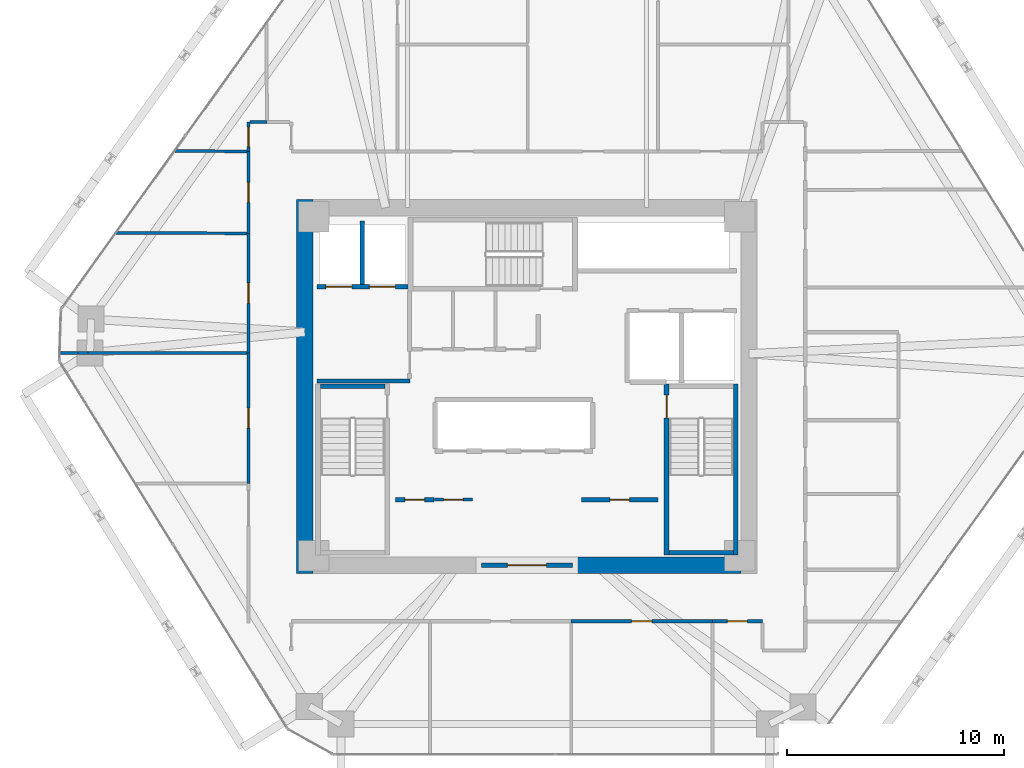
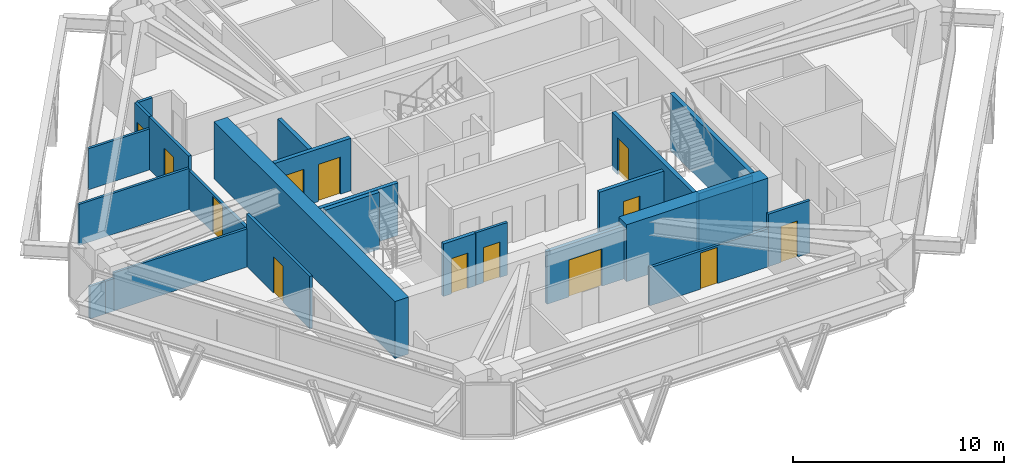
# One storey, part 10 of 14: 25 walls, 13 doors, 13 openings.
"""IFC4 building model written with IfcOpenShell, lengths in metres."""

from ifc_helpers import new_model, si_unit, direction, frame, frame_2d, origin, place, context, subcontext, project, spatial, rectangle, extrude, source, transform, mapped, material, layer, layer_set, type_object, type_shapes, element, fill, save


model = new_model("IFC4")

# Units and contexts
model_context = context("Model", 3, precision=1e-05, world=origin(), true_north=direction((0.0, 1.0)))
body_context = subcontext(model_context, "Body", "Model", "MODEL_VIEW")
ifc_project = project(units=[si_unit("LENGTHUNIT", "METRE"), si_unit("AREAUNIT", "SQUARE_METRE"), si_unit("VOLUMEUNIT", "CUBIC_METRE"), si_unit("PLANEANGLEUNIT", "RADIAN"), si_unit("MASSUNIT", "GRAM", prefix="KILO")], contexts=[model_context])

# Site, building, storey
site_placement = place(None, origin())
site = spatial("IfcSite", under=ifc_project, at=site_placement, CompositionType="ELEMENT")
building_placement = place(site_placement, origin())
building = spatial("IfcBuilding", under=site, at=building_placement, Name="Durnholm Broadcast Tower", CompositionType="ELEMENT")
storey_placement = place(building_placement, frame((0.0, 0.0, 120.60009765625)))
storey = spatial("IfcBuildingStorey", under=building, at=storey_placement, Name="L32", CompositionType="ELEMENT", Elevation=120.60009765625)

# Walls
ifc_material_1 = material(Name="Concrete C70/85", Category="concrete")
ifc_layer_1 = layer(ifc_material_1, 0.75)
ifc_layer_set_1 = layer_set([ifc_layer_1], Name="Concrete C70/85")
wall_type_1 = type_object("IfcWallType", Name="WALL-CW-750", PredefinedType="SHEAR", material=ifc_layer_set_1)
wall_1_placement = place(storey_placement, frame((-10.22509765625, -8.60009765625, 0.0), z_axis=(0.0, 0.0, 1.0), x_axis=(0.0, 1.0, 0.0)))
element("IfcWall", 1, at=wall_1_placement, inside=storey, type_object=wall_type_1, Name="L32 central core shear wall CW-WEST", PredefinedType="SHEAR", context=body_context, shape_type="SweptSolid", body=[
    extrude(rectangle(XDim=17.2001953125, YDim=0.75, at=frame_2d((8.60009765625, 0.0))), origin(), (0.0, 0.0, 1.0), 3.2998046875),
])
wall_2_placement = place(storey_placement, frame((2.10009765625, -8.22509765625, 0.0), z_axis=(0.0, 0.0, 1.0), x_axis=(1.0, 0.0, 0.0)))
element("IfcWall", 2, at=wall_2_placement, inside=storey, type_object=wall_type_1, Name="L32 central core shear wall CW-S2", PredefinedType="SHEAR", context=body_context, shape_type="SweptSolid", body=[
    extrude(rectangle(XDim=7.75, YDim=0.75, at=frame_2d((3.875, 0.0))), origin(), (0.0, 0.0, 1.0), 3.2998046875),
])

# Wall, opening, door
ifc_material_2 = material(Name="Fire-Rated Gypsum Shaftwall", Category="concrete")
ifc_layer_2 = layer(ifc_material_2, 0.199951171875)
ifc_layer_set_2 = layer_set([ifc_layer_2], Name="Fire-Rated Gypsum Shaftwall")
wall_type_2 = type_object("IfcWallType", Name="WALL-LOB-200", PredefinedType="SOLIDWALL", material=ifc_layer_set_2)
wall_3_placement = place(storey_placement, frame((-2.10009765625, -8.22509765625, 0.0), z_axis=(0.0, 0.0, 1.0), x_axis=(1.0, 0.0, 0.0)))
wall_3 = element("IfcWall", 3, at=wall_3_placement, inside=storey, type_object=wall_type_2, Name="L32 south core lobby fire screen", PredefinedType="SOLIDWALL", context=body_context, shape_type="SweptSolid", body=[
    extrude(rectangle(XDim=4.2001953125, YDim=0.199951171875, at=frame_2d((2.10009765625, 0.0))), origin(), (0.0, 0.0, 1.0), 3.044921875),
])
opening_1_placement = place(wall_3_placement, frame((1.199951171875, 0.0, 0.0)))
opening_1 = element("IfcOpeningElement", 4, at=opening_1_placement, cuts=wall_3, Name="Opening DP-60", PredefinedType="OPENING", context=body_context, shape_type="SweptSolid", body=[
    extrude(rectangle(XDim=1.800048828125, YDim=2.14990234375, at=frame_2d((0.89990234375, 1.074951171875))), frame((0.0, 0.10986328125, 0.0), z_axis=(0.0, -1.0, 0.0), x_axis=(1.0, 0.0, 0.0)), (0.0, 0.0, 1.0), 0.219970703125),
])
ifc_material_3 = material(Name="Fire-Rated Double Corridor Door", Category="steel")
ifc_layer_3 = layer(ifc_material_3, 0.050048828125)
ifc_layer_set_3 = layer_set([ifc_layer_3], Name="Fire-Rated Double Corridor Door")
door_type_1 = type_object("IfcDoorType", Name="DOOR-PAIR-FD60", OperationType="DOUBLE_DOOR_SINGLE_SWING", PredefinedType="DOOR", material=ifc_layer_set_3)
shared_shape_1 = source(origin(), body_context, "Body", "SweptSolid", [
    extrude(rectangle(XDim=1.800048828125, YDim=2.14990234375, at=frame_2d((0.89990234375, 1.074951171875))), frame((0.0, 0.02490234375, 0.0), z_axis=(0.0, -1.0, 0.0), x_axis=(1.0, 0.0, 0.0)), (0.0, 0.0, 1.0), 0.050048828125),
])
type_shapes(door_type_1, [shared_shape_1])
door_1_placement = place(opening_1_placement, origin())
door_1 = element("IfcDoor", 5, at=door_1_placement, inside=storey, type_object=door_type_1, Name="L32 south core lobby double fire door", OperationType="DOUBLE_DOOR_SINGLE_SWING", OverallHeight=2.14990234375, OverallWidth=1.800048828125, PredefinedType="DOOR", context=body_context, shape_type="MappedRepresentation", body=[
    mapped(shared_shape_1, transform((0.0, 0.0, 0.0), x_axis=(1.0, 0.0, 0.0), y_axis=(0.0, 1.0, 0.0), z_axis=(0.0, 0.0, 1.0), scale=1.0)),
])
fill(opening_1, door_1)

# Wall
wall_4_placement = place(storey_placement, frame((-9.64990234375, 0.25, 0.0), z_axis=(0.0, 0.0, 1.0), x_axis=(1.0, 0.0, 0.0)))
element("IfcWall", 6, at=wall_4_placement, inside=storey, type_object=wall_type_2, Name="L32 Fire Service Access Elevator lobby south wall", PredefinedType="SOLIDWALL", context=body_context, shape_type="SweptSolid", body=[
    extrude(rectangle(XDim=4.27001953125, YDim=0.199951171875, at=frame_2d((2.135009765625, 0.0))), origin(), (0.0, 0.0, 1.0), 3.044921875),
])

# Wall, opening, door
wall_5_placement = place(storey_placement, frame((-6.0400390625, -5.2099609375, 0.0), z_axis=(0.0, 0.0, 1.0), x_axis=(1.0, 0.0, 0.0)))
wall_5 = element("IfcWall", 7, at=wall_5_placement, inside=storey, type_object=wall_type_2, Name="L32 Media Fiber Patch Room corridor partition", PredefinedType="SOLIDWALL", context=body_context, shape_type="SweptSolid", body=[
    extrude(rectangle(XDim=1.760009765625, YDim=0.199951171875, at=frame_2d((0.8798828125, 0.0))), origin(), (0.0, 0.0, 1.0), 3.044921875),
])
opening_2_placement = place(wall_5_placement, frame((0.429931640625, 0.0, 0.0)))
opening_2 = element("IfcOpeningElement", 8, at=opening_2_placement, cuts=wall_5, Name="Opening DC-60R", PredefinedType="OPENING", context=body_context, shape_type="SweptSolid", body=[
    extrude(rectangle(XDim=0.89990234375, YDim=2.050048828125, at=frame_2d((0.449951171875, 1.02490234375))), frame((0.0, 0.10986328125, 0.0), z_axis=(0.0, -1.0, 0.0), x_axis=(1.0, 0.0, 0.0)), (0.0, 0.0, 1.0), 0.219970703125),
])
ifc_material_4 = material(Name="Fire-Rated Core Service Door", Category="steel")
ifc_layer_4 = layer(ifc_material_4, 0.050048828125)
ifc_layer_set_4 = layer_set([ifc_layer_4], Name="Fire-Rated Core Service Door")
door_type_2 = type_object("IfcDoorType", Name="DOOR-CORE-FD60-R", OperationType="NOTDEFINED", PredefinedType="DOOR", material=ifc_layer_set_4)
shared_shape_2 = source(origin(), body_context, "Body", "SweptSolid", [
    extrude(rectangle(XDim=0.89990234375, YDim=2.050048828125, at=frame_2d((0.449951171875, 1.02490234375))), frame((0.0, 0.02490234375, 0.0), z_axis=(0.0, -1.0, 0.0), x_axis=(1.0, 0.0, 0.0)), (0.0, 0.0, 1.0), 0.050048828125),
])
type_shapes(door_type_2, [shared_shape_2])
door_2_placement = place(opening_2_placement, origin())
door_2 = element("IfcDoor", 9, at=door_2_placement, inside=storey, type_object=door_type_2, Name="L32 Media Fiber Patch Room entrance door", OperationType="SINGLE_SWING_RIGHT", OverallHeight=2.050048828125, OverallWidth=0.89990234375, PredefinedType="DOOR", context=body_context, shape_type="MappedRepresentation", body=[
    mapped(shared_shape_2, transform((0.0, 0.0, 0.0), x_axis=(1.0, 0.0, 0.0), y_axis=(0.0, 1.0, 0.0), z_axis=(0.0, 0.0, 1.0), scale=1.0)),
])
fill(opening_2, door_2)

wall_6_placement = place(storey_placement, frame((2.510009765625, -5.2099609375, 0.0), z_axis=(0.0, 0.0, 1.0), x_axis=(1.0, 0.0, 0.0)))
wall_6 = element("IfcWall", 10, at=wall_6_placement, inside=storey, type_object=wall_type_2, Name="L32 Telemetry Control Closet corridor partition", PredefinedType="SOLIDWALL", context=body_context, shape_type="SweptSolid", body=[
    extrude(rectangle(XDim=3.530029296875, YDim=0.199951171875, at=frame_2d((1.76513671875, 0.0))), origin(), (0.0, 0.0, 1.0), 3.044921875),
])
opening_3_placement = place(wall_6_placement, frame((1.31494140625, 0.0, 0.0)))
opening_3 = element("IfcOpeningElement", 11, at=opening_3_placement, cuts=wall_6, Name="Opening DC-60R", PredefinedType="OPENING", context=body_context, shape_type="SweptSolid", body=[
    extrude(rectangle(XDim=0.89990234375, YDim=2.050048828125, at=frame_2d((0.449951171875, 1.02490234375))), frame((0.0, 0.10986328125, 0.0), z_axis=(0.0, -1.0, 0.0), x_axis=(1.0, 0.0, 0.0)), (0.0, 0.0, 1.0), 0.219970703125),
])
door_3_placement = place(opening_3_placement, origin())
door_3 = element("IfcDoor", 12, at=door_3_placement, inside=storey, type_object=door_type_2, Name="L32 Telemetry Control Closet entrance door", OperationType="SINGLE_SWING_RIGHT", OverallHeight=2.050048828125, OverallWidth=0.89990234375, PredefinedType="DOOR", context=body_context, shape_type="MappedRepresentation", body=[
    mapped(shared_shape_2, transform((0.0, 0.0, 0.0), x_axis=(1.0, 0.0, 0.0), y_axis=(0.0, 1.0, 0.0), z_axis=(0.0, 0.0, 1.0), scale=1.0)),
])
fill(opening_3, door_3)

# Walls
ifc_material_5 = material(Name="Gypsum Metal Stud Partition", Category="concrete")
ifc_layer_5 = layer(ifc_material_5, 0.135009765625)
ifc_layer_set_5 = layer_set([ifc_layer_5], Name="Gypsum Metal Stud Partition")
wall_type_3 = type_object("IfcWallType", Name="WALL-PART-135", PredefinedType="PARTITIONING", material=ifc_layer_set_5)
wall_7_placement = place(storey_placement, frame((-12.888916015625, 10.810546875, 0.0), z_axis=(0.0, 0.0, 1.0), x_axis=(-0.999976657862, 0.006832549348, 0.0)))
element("IfcWall", 13, at=wall_7_placement, inside=storey, type_object=wall_type_3, Name="L32 room dividing partition 10.25", PredefinedType="PARTITIONING", context=body_context, shape_type="SweptSolid", body=[
    extrude(rectangle(XDim=3.322998046875, YDim=0.135009765625, at=frame_2d((1.66162109375, 0.0))), origin(), (0.0, 0.0, 1.0), 2.3798828125),
])
wall_8_placement = place(storey_placement, frame((-21.50341796875, 1.54150390625, 0.0), z_axis=(0.0, 0.0, 1.0), x_axis=(0.999999958331, -0.000288683591, 0.0)))
element("IfcWall", 14, at=wall_8_placement, inside=storey, type_object=wall_type_3, Name="L32 room dividing partition 23.24", PredefinedType="PARTITIONING", context=body_context, shape_type="SweptSolid", body=[
    extrude(rectangle(XDim=0.845703125, YDim=0.135009765625, at=frame_2d((0.4228515625, 0.0))), origin(), (0.0, 0.0, 1.0), 1.877197265625),
])
wall_9_placement = place(storey_placement, frame((-20.201416015625, 1.541259765625, 0.0), z_axis=(0.0, 0.0, 1.0), x_axis=(0.999999986067, -0.000166933758, 0.0)))
element("IfcWall", 15, at=wall_9_placement, inside=storey, type_object=wall_type_3, Name="L32 room dividing partition 23.24", PredefinedType="PARTITIONING", context=body_context, shape_type="SweptSolid", body=[
    extrude(rectangle(XDim=7.3125, YDim=0.135009765625, at=frame_2d((3.65625, 0.0))), origin(), (0.0, 0.0, 1.0), 2.2119140625),
])
wall_10_placement = place(storey_placement, frame((-20.65771484375, 1.541259765625, 0.0), z_axis=(0.0, 0.0, 1.0), x_axis=(1.0, 0.0, 0.0)))
element("IfcWall", 16, at=wall_10_placement, inside=storey, type_object=wall_type_3, Name="L32 room dividing partition 23.24", PredefinedType="PARTITIONING", context=body_context, shape_type="SweptSolid", body=[
    extrude(rectangle(XDim=0.456298828125, YDim=0.135009765625, at=frame_2d((0.22802734375, 0.0))), origin(), (0.0, 0.0, 1.0), 1.877197265625),
])
wall_11_placement = place(storey_placement, frame((-18.92041015625, 7.063232421875, 0.0), z_axis=(0.0, 0.0, 1.0), x_axis=(0.999992761455, -0.003804870252, 0.0)))
element("IfcWall", 17, at=wall_11_placement, inside=storey, type_object=wall_type_3, Name="L32 room dividing partition 24.25", PredefinedType="PARTITIONING", context=body_context, shape_type="SweptSolid", body=[
    extrude(rectangle(XDim=6.031494140625, YDim=0.135009765625, at=frame_2d((3.015625, 0.0))), origin(), (0.0, 0.0, 1.0), 2.3798828125),
])

# Wall, opening, door
ifc_material_6 = material(Name="Acoustic Gypsum Stud Partition", Category="concrete")
ifc_layer_6 = layer(ifc_material_6, 0.14990234375)
ifc_layer_set_6 = layer_set([ifc_layer_6], Name="Acoustic Gypsum Stud Partition")
wall_type_4 = type_object("IfcWallType", Name="WALL-PART-150", PredefinedType="PARTITIONING", material=ifc_layer_set_6)
wall_12_placement = place(storey_placement, frame((-4.260009765625, -5.2099609375, 0.0), z_axis=(0.0, 0.0, 1.0), x_axis=(1.0, 0.0, 0.0)))
wall_12 = element("IfcWall", 18, at=wall_12_placement, inside=storey, type_object=wall_type_4, Name="L32 Copy and Print Room corridor partition", PredefinedType="PARTITIONING", context=body_context, shape_type="SweptSolid", body=[
    extrude(rectangle(XDim=1.75, YDim=0.14990234375, at=frame_2d((0.875, 0.0))), origin(), (0.0, 0.0, 1.0), 3.044921875),
])
opening_4_placement = place(wall_12_placement, frame((0.425048828125, 0.0, 0.0)))
opening_4 = element("IfcOpeningElement", 19, at=opening_4_placement, cuts=wall_12, Name="Opening DC-60L", PredefinedType="OPENING", context=body_context, shape_type="SweptSolid", body=[
    extrude(rectangle(XDim=0.89990234375, YDim=2.050048828125, at=frame_2d((0.449951171875, 1.02490234375))), frame((0.0, 0.0849609375, 0.0), z_axis=(0.0, -1.0, 0.0), x_axis=(1.0, 0.0, 0.0)), (0.0, 0.0, 1.0), 0.169921875),
])
ifc_layer_7 = layer(ifc_material_4, 0.050048828125)
ifc_layer_set_7 = layer_set([ifc_layer_7], Name="Fire-Rated Core Service Door")
door_type_3 = type_object("IfcDoorType", Name="DOOR-CORE-FD60-L", OperationType="NOTDEFINED", PredefinedType="DOOR", material=ifc_layer_set_7)
shared_shape_3 = source(origin(), body_context, "Body", "SweptSolid", [
    extrude(rectangle(XDim=0.89990234375, YDim=2.050048828125, at=frame_2d((0.449951171875, 1.02490234375))), frame((0.0, 0.02490234375, 0.0), z_axis=(0.0, -1.0, 0.0), x_axis=(1.0, 0.0, 0.0)), (0.0, 0.0, 1.0), 0.050048828125),
])
type_shapes(door_type_3, [shared_shape_3])
door_4_placement = place(opening_4_placement, origin())
door_4 = element("IfcDoor", 20, at=door_4_placement, inside=storey, type_object=door_type_3, Name="L32 Copy and Print Room entrance door", OperationType="SINGLE_SWING_LEFT", OverallHeight=2.050048828125, OverallWidth=0.89990234375, PredefinedType="DOOR", context=body_context, shape_type="MappedRepresentation", body=[
    mapped(shared_shape_3, transform((0.0, 0.0, 0.0), x_axis=(1.0, 0.0, 0.0), y_axis=(0.0, 1.0, 0.0), z_axis=(0.0, 0.0, 1.0), scale=1.0)),
])
fill(opening_4, door_4)

wall_13_placement = place(storey_placement, frame((-12.81005859375, 12.159912109375, 0.0), z_axis=(0.0, 0.0, 1.0), x_axis=(0.0, -1.0, 0.0)))
wall_13 = element("IfcWall", 21, at=wall_13_placement, inside=storey, type_object=wall_type_4, Name="L32 Syndication Meeting Room 1 corridor partition", PredefinedType="PARTITIONING", context=body_context, shape_type="SweptSolid", body=[
    extrude(rectangle(XDim=1.349853515625, YDim=0.14990234375, at=frame_2d((0.6748046875, 0.0))), origin(), (0.0, 0.0, 1.0), 3.044921875),
])
opening_5_placement = place(wall_13_placement, frame((0.22509765625, 0.0, 0.0)))
opening_5 = element("IfcOpeningElement", 22, at=opening_5_placement, cuts=wall_13, Name="Opening DW-90L", PredefinedType="OPENING", context=body_context, shape_type="SweptSolid", body=[
    extrude(rectangle(XDim=0.89990234375, YDim=2.050048828125, at=frame_2d((0.449951171875, 1.02490234375))), frame((0.0, 0.0849609375, 0.0), z_axis=(0.0, -1.0, 0.0), x_axis=(1.0, 0.0, 0.0)), (0.0, 0.0, 1.0), 0.169921875),
])
ifc_material_7 = material(Name="Laminate Restroom Door", Category="steel")
ifc_layer_8 = layer(ifc_material_7, 0.050048828125)
ifc_layer_set_8 = layer_set([ifc_layer_8], Name="Laminate Restroom Door")
door_type_4 = type_object("IfcDoorType", Name="DOOR-WC-900L", OperationType="NOTDEFINED", PredefinedType="DOOR", material=ifc_layer_set_8)
shared_shape_4 = source(origin(), body_context, "Body", "SweptSolid", [
    extrude(rectangle(XDim=0.89990234375, YDim=2.050048828125, at=frame_2d((0.449951171875, 1.02490234375))), frame((0.0, 0.02490234375, 0.0), z_axis=(0.0, -1.0, 0.0), x_axis=(1.0, 0.0, 0.0)), (0.0, 0.0, 1.0), 0.050048828125),
])
type_shapes(door_type_4, [shared_shape_4])
door_5_placement = place(opening_5_placement, origin())
door_5 = element("IfcDoor", 23, at=door_5_placement, inside=storey, type_object=door_type_4, Name="L32 Syndication Meeting Room 1 entrance door", OperationType="SINGLE_SWING_LEFT", OverallHeight=2.050048828125, OverallWidth=0.89990234375, PredefinedType="DOOR", context=body_context, shape_type="MappedRepresentation", body=[
    mapped(shared_shape_4, transform((0.0, 0.0, 0.0), x_axis=(1.0, 0.0, 0.0), y_axis=(0.0, 1.0, 0.0), z_axis=(0.0, 0.0, 1.0), scale=1.0)),
])
fill(opening_5, door_5)

# Wall
wall_14_placement = place(storey_placement, frame((-11.9599609375, 12.159912109375, 0.0), z_axis=(0.0, 0.0, 1.0), x_axis=(-1.0, 0.0, 0.0)))
element("IfcWall", 24, at=wall_14_placement, inside=storey, type_object=wall_type_4, Name="L32 Syndication Meeting Room 1 corridor partition", PredefinedType="PARTITIONING", context=body_context, shape_type="SweptSolid", body=[
    extrude(rectangle(XDim=0.77099609375, YDim=0.14990234375, at=frame_2d((0.385498046875, 0.0))), origin(), (0.0, 0.0, 1.0), 3.044921875),
])

# Wall, opening, door
wall_15_placement = place(storey_placement, frame((2.0400390625, -10.81005859375, 0.0), z_axis=(0.0, 0.0, 1.0), x_axis=(1.0, 0.0, 0.0)))
wall_15 = element("IfcWall", 25, at=wall_15_placement, inside=storey, type_object=wall_type_4, Name="L32 Syndication Meeting Room 2 corridor partition", PredefinedType="PARTITIONING", context=body_context, shape_type="SweptSolid", body=[
    extrude(rectangle(XDim=6.5, YDim=0.14990234375, at=frame_2d((3.25, 0.0))), origin(), (0.0, 0.0, 1.0), 2.2119140625),
])
opening_6_placement = place(wall_15_placement, frame((2.77490234375, 0.0, 0.0)))
opening_6 = element("IfcOpeningElement", 26, at=opening_6_placement, cuts=wall_15, Name="Opening DR-95L", PredefinedType="OPENING", context=body_context, shape_type="SweptSolid", body=[
    extrude(rectangle(XDim=0.949951171875, YDim=2.10009765625, at=frame_2d((0.47509765625, 1.050048828125))), frame((0.0, 0.0849609375, 0.0), z_axis=(0.0, -1.0, 0.0), x_axis=(1.0, 0.0, 0.0)), (0.0, 0.0, 1.0), 0.169921875),
])
ifc_material_8 = material(Name="Acoustic Oak Veneer Timber Door", Category="wood")
ifc_layer_9 = layer(ifc_material_8, 0.050048828125)
ifc_layer_set_9 = layer_set([ifc_layer_9], Name="Acoustic Oak Veneer Timber Door")
door_type_5 = type_object("IfcDoorType", Name="DOOR-RM-950L", OperationType="NOTDEFINED", PredefinedType="DOOR", material=ifc_layer_set_9)
shared_shape_5 = source(origin(), body_context, "Body", "SweptSolid", [
    extrude(rectangle(XDim=0.949951171875, YDim=2.10009765625, at=frame_2d((0.47509765625, 1.050048828125))), frame((0.0, 0.02490234375, 0.0), z_axis=(0.0, -1.0, 0.0), x_axis=(1.0, 0.0, 0.0)), (0.0, 0.0, 1.0), 0.050048828125),
])
type_shapes(door_type_5, [shared_shape_5])
door_6_placement = place(opening_6_placement, origin())
door_6 = element("IfcDoor", 27, at=door_6_placement, inside=storey, type_object=door_type_5, Name="L32 Syndication Meeting Room 2 entrance door", OperationType="SINGLE_SWING_LEFT", OverallHeight=2.10009765625, OverallWidth=0.949951171875, PredefinedType="DOOR", context=body_context, shape_type="MappedRepresentation", body=[
    mapped(shared_shape_5, transform((0.0, 0.0, 0.0), x_axis=(1.0, 0.0, 0.0), y_axis=(0.0, 1.0, 0.0), z_axis=(0.0, 0.0, 1.0), scale=1.0)),
])
fill(opening_6, door_6)

wall_16_placement = place(storey_placement, frame((8.5400390625, -10.81005859375, 0.0), z_axis=(0.0, 0.0, 1.0), x_axis=(1.0, 0.0, 0.0)))
wall_16 = element("IfcWall", 28, at=wall_16_placement, inside=storey, type_object=wall_type_4, Name="L32 Open Plan Broadcast Workspace 1 corridor partition", PredefinedType="PARTITIONING", context=body_context, shape_type="SweptSolid", body=[
    extrude(rectangle(XDim=2.300048828125, YDim=0.14990234375, at=frame_2d((1.14990234375, 0.0))), origin(), (0.0, 0.0, 1.0), 3.044921875),
])
opening_7_placement = place(wall_16_placement, frame((0.68994140625, 0.0, 0.0)))
opening_7 = element("IfcOpeningElement", 29, at=opening_7_placement, cuts=wall_16, Name="Opening DR-92R", PredefinedType="OPENING", context=body_context, shape_type="SweptSolid", body=[
    extrude(rectangle(XDim=0.919921875, YDim=2.10009765625, at=frame_2d((0.4599609375, 1.050048828125))), frame((0.0, 0.0849609375, 0.0), z_axis=(0.0, -1.0, 0.0), x_axis=(1.0, 0.0, 0.0)), (0.0, 0.0, 1.0), 0.169921875),
])
ifc_material_9 = material(Name="Oak Veneer Office Door", Category="wood")
ifc_layer_10 = layer(ifc_material_9, 0.050048828125)
ifc_layer_set_10 = layer_set([ifc_layer_10], Name="Oak Veneer Office Door")
door_type_6 = type_object("IfcDoorType", Name="DOOR-RM-920R", OperationType="NOTDEFINED", PredefinedType="DOOR", material=ifc_layer_set_10)
shared_shape_6 = source(origin(), body_context, "Body", "SweptSolid", [
    extrude(rectangle(XDim=0.919921875, YDim=2.10009765625, at=frame_2d((0.4599609375, 1.050048828125))), frame((0.0, 0.02490234375, 0.0), z_axis=(0.0, -1.0, 0.0), x_axis=(1.0, 0.0, 0.0)), (0.0, 0.0, 1.0), 0.050048828125),
])
type_shapes(door_type_6, [shared_shape_6])
door_7_placement = place(opening_7_placement, origin())
door_7 = element("IfcDoor", 30, at=door_7_placement, inside=storey, type_object=door_type_6, Name="L32 Open Plan Broadcast Workspace 1 entrance door", OperationType="SINGLE_SWING_RIGHT", OverallHeight=2.10009765625, OverallWidth=0.919921875, PredefinedType="DOOR", context=body_context, shape_type="MappedRepresentation", body=[
    mapped(shared_shape_6, transform((0.0, 0.0, 0.0), x_axis=(1.0, 0.0, 0.0), y_axis=(0.0, 1.0, 0.0), z_axis=(0.0, 0.0, 1.0), scale=1.0)),
])
fill(opening_7, door_7)

wall_17_placement = place(storey_placement, frame((-12.81005859375, 1.5400390625, 0.0), z_axis=(0.0, 0.0, 1.0), x_axis=(0.0, -1.0, 0.0)))
wall_17 = element("IfcWall", 31, at=wall_17_placement, inside=storey, type_object=wall_type_4, Name="L32 Research Meeting Room corridor partition", PredefinedType="PARTITIONING", context=body_context, shape_type="SweptSolid", body=[
    extrude(rectangle(XDim=6.0, YDim=0.14990234375, at=frame_2d((3.0, 0.0))), origin(), (0.0, 0.0, 1.0), 3.044921875),
])
opening_8_placement = place(wall_17_placement, frame((2.5400390625, 0.0, 0.0)))
opening_8 = element("IfcOpeningElement", 32, at=opening_8_placement, cuts=wall_17, Name="Opening DR-92R", PredefinedType="OPENING", context=body_context, shape_type="SweptSolid", body=[
    extrude(rectangle(XDim=0.919921875, YDim=2.10009765625, at=frame_2d((0.4599609375, 1.050048828125))), frame((0.0, 0.0849609375, 0.0), z_axis=(0.0, -1.0, 0.0), x_axis=(1.0, 0.0, 0.0)), (0.0, 0.0, 1.0), 0.169921875),
])
door_8_placement = place(opening_8_placement, origin())
door_8 = element("IfcDoor", 33, at=door_8_placement, inside=storey, type_object=door_type_6, Name="L32 Research Meeting Room entrance door", OperationType="SINGLE_SWING_RIGHT", OverallHeight=2.10009765625, OverallWidth=0.919921875, PredefinedType="DOOR", context=body_context, shape_type="MappedRepresentation", body=[
    mapped(shared_shape_6, transform((0.0, 0.0, 0.0), x_axis=(1.0, 0.0, 0.0), y_axis=(0.0, 1.0, 0.0), z_axis=(0.0, 0.0, 1.0), scale=1.0)),
])
fill(opening_8, door_8)

wall_18_placement = place(storey_placement, frame((-12.81005859375, 7.0400390625, 0.0), z_axis=(0.0, 0.0, 1.0), x_axis=(0.0, -1.0, 0.0)))
wall_18 = element("IfcWall", 34, at=wall_18_placement, inside=storey, type_object=wall_type_4, Name="L32 Hospitality Kitchen corridor partition", PredefinedType="PARTITIONING", context=body_context, shape_type="SweptSolid", body=[
    extrude(rectangle(XDim=5.5, YDim=0.14990234375, at=frame_2d((2.75, 0.0))), origin(), (0.0, 0.0, 1.0), 2.2119140625),
])
opening_9_placement = place(wall_18_placement, frame((2.27490234375, 0.0, 0.0)))
opening_9 = element("IfcOpeningElement", 35, at=opening_9_placement, cuts=wall_18, Name="Opening DR-95L", PredefinedType="OPENING", context=body_context, shape_type="SweptSolid", body=[
    extrude(rectangle(XDim=0.949951171875, YDim=2.10009765625, at=frame_2d((0.47509765625, 1.050048828125))), frame((0.0, 0.0849609375, 0.0), z_axis=(0.0, -1.0, 0.0), x_axis=(1.0, 0.0, 0.0)), (0.0, 0.0, 1.0), 0.169921875),
])
door_9_placement = place(opening_9_placement, origin())
door_9 = element("IfcDoor", 36, at=door_9_placement, inside=storey, type_object=door_type_5, Name="L32 Hospitality Kitchen entrance door", OperationType="SINGLE_SWING_LEFT", OverallHeight=2.10009765625, OverallWidth=0.949951171875, PredefinedType="DOOR", context=body_context, shape_type="MappedRepresentation", body=[
    mapped(shared_shape_5, transform((0.0, 0.0, 0.0), x_axis=(1.0, 0.0, 0.0), y_axis=(0.0, 1.0, 0.0), z_axis=(0.0, 0.0, 1.0), scale=1.0)),
])
fill(opening_9, door_9)

wall_19_placement = place(storey_placement, frame((-12.81005859375, 10.81005859375, 0.0), z_axis=(0.0, 0.0, 1.0), x_axis=(0.0, -1.0, 0.0)))
wall_19 = element("IfcWall", 37, at=wall_19_placement, inside=storey, type_object=wall_type_4, Name="L32 Account Lounge corridor partition", PredefinedType="PARTITIONING", context=body_context, shape_type="SweptSolid", body=[
    extrude(rectangle(XDim=3.77001953125, YDim=0.14990234375, at=frame_2d((1.885009765625, 0.0))), origin(), (0.0, 0.0, 1.0), 3.044921875),
])
opening_10_placement = place(wall_19_placement, frame((1.425048828125, 0.0, 0.0)))
opening_10 = element("IfcOpeningElement", 38, at=opening_10_placement, cuts=wall_19, Name="Opening DR-92R", PredefinedType="OPENING", context=body_context, shape_type="SweptSolid", body=[
    extrude(rectangle(XDim=0.919921875, YDim=2.10009765625, at=frame_2d((0.4599609375, 1.050048828125))), frame((0.0, 0.0849609375, 0.0), z_axis=(0.0, -1.0, 0.0), x_axis=(1.0, 0.0, 0.0)), (0.0, 0.0, 1.0), 0.169921875),
])
door_10_placement = place(opening_10_placement, origin())
door_10 = element("IfcDoor", 39, at=door_10_placement, inside=storey, type_object=door_type_6, Name="L32 Account Lounge entrance door", OperationType="SINGLE_SWING_RIGHT", OverallHeight=2.10009765625, OverallWidth=0.919921875, PredefinedType="DOOR", context=body_context, shape_type="MappedRepresentation", body=[
    mapped(shared_shape_6, transform((0.0, 0.0, 0.0), x_axis=(1.0, 0.0, 0.0), y_axis=(0.0, 1.0, 0.0), z_axis=(0.0, 0.0, 1.0), scale=1.0)),
])
fill(opening_10, door_10)

# Wall, openings, doors
ifc_material_10 = material(Name="Concrete Blockwork C30/37", Category="masonry")
ifc_layer_11 = layer(ifc_material_10, 0.219970703125)
ifc_layer_set_11 = layer_set([ifc_layer_11], Name="Concrete Blockwork C30/37")
wall_type_5 = type_object("IfcWallType", Name="WALL-SHAFT-220", PredefinedType="SOLIDWALL", material=ifc_layer_set_11)
wall_20_placement = place(storey_placement, frame((-9.64990234375, 4.580078125, 0.0), z_axis=(0.0, 0.0, 1.0), x_axis=(1.0, 0.0, 0.0)))
wall_20 = element("IfcWall", 40, at=wall_20_placement, inside=storey, type_object=wall_type_5, Name="L32 FSAE hoistway front fire wall", PredefinedType="SOLIDWALL", context=body_context, shape_type="SweptSolid", body=[
    extrude(rectangle(XDim=4.1748046875, YDim=0.219970703125, at=frame_2d((2.08740234375, 0.0))), origin(), (0.0, 0.0, 1.0), 3.044921875),
])
opening_11_placement = place(wall_20_placement, frame((0.39990234375, 0.0, 0.0)))
opening_11 = element("IfcOpeningElement", 41, at=opening_11_placement, cuts=wall_20, Name="Opening LD-FSAE-2", PredefinedType="OPENING", context=body_context, shape_type="SweptSolid", body=[
    extrude(rectangle(XDim=1.199951171875, YDim=2.14990234375, at=frame_2d((0.60009765625, 1.074951171875))), frame((0.0, 0.1201171875, 0.0), z_axis=(0.0, -1.0, 0.0), x_axis=(1.0, 0.0, 0.0)), (0.0, 0.0, 1.0), 0.239990234375),
])
opening_12_placement = place(wall_20_placement, frame((2.39990234375, 0.0, 0.0)))
opening_12 = element("IfcOpeningElement", 42, at=opening_12_placement, cuts=wall_20, Name="Opening LD-FSAE-1", PredefinedType="OPENING", context=body_context, shape_type="SweptSolid", body=[
    extrude(rectangle(XDim=1.199951171875, YDim=2.14990234375, at=frame_2d((0.60009765625, 1.074951171875))), frame((0.0, 0.1201171875, 0.0), z_axis=(0.0, -1.0, 0.0), x_axis=(1.0, 0.0, 0.0)), (0.0, 0.0, 1.0), 0.239990234375),
])
ifc_material_11 = material(Name="Fire Service Access Sliding Landing Door", Category="steel")
ifc_layer_12 = layer(ifc_material_11, 0.050048828125)
ifc_layer_set_12 = layer_set([ifc_layer_12], Name="Fire Service Access Sliding Landing Door")
door_type_7 = type_object("IfcDoorType", Name="DOOR-LIFT-FSAE", OperationType="DOUBLE_DOOR_SLIDING", PredefinedType="DOOR", material=ifc_layer_set_12)
shared_shape_7 = source(origin(), body_context, "Body", "SweptSolid", [
    extrude(rectangle(XDim=1.199951171875, YDim=2.14990234375, at=frame_2d((0.60009765625, 1.074951171875))), frame((0.0, 0.02490234375, 0.0), z_axis=(0.0, -1.0, 0.0), x_axis=(1.0, 0.0, 0.0)), (0.0, 0.0, 1.0), 0.050048828125),
])
type_shapes(door_type_7, [shared_shape_7])
door_11_placement = place(opening_11_placement, origin())
door_11 = element("IfcDoor", 43, at=door_11_placement, inside=storey, type_object=door_type_7, Name="L32 Fire Service Access Elevator FSAE-2 sliding landing door", OperationType="DOUBLE_DOOR_SLIDING", OverallHeight=2.14990234375, OverallWidth=1.199951171875, PredefinedType="DOOR", context=body_context, shape_type="MappedRepresentation", body=[
    mapped(shared_shape_7, transform((0.0, 0.0, 0.0), x_axis=(1.0, 0.0, 0.0), y_axis=(0.0, 1.0, 0.0), z_axis=(0.0, 0.0, 1.0), scale=1.0)),
])
fill(opening_11, door_11)
door_12_placement = place(opening_12_placement, origin())
door_12 = element("IfcDoor", 44, at=door_12_placement, inside=storey, type_object=door_type_7, Name="L32 Fire Service Access Elevator FSAE-1 sliding landing door", OperationType="DOUBLE_DOOR_SLIDING", OverallHeight=2.14990234375, OverallWidth=1.199951171875, PredefinedType="DOOR", context=body_context, shape_type="MappedRepresentation", body=[
    mapped(shared_shape_7, transform((0.0, 0.0, 0.0), x_axis=(1.0, 0.0, 0.0), y_axis=(0.0, 1.0, 0.0), z_axis=(0.0, 0.0, 1.0), scale=1.0)),
])
fill(opening_12, door_12)

# Walls
wall_21_placement = place(storey_placement, frame((-7.580078125, 4.694091796875, 0.0), z_axis=(0.0, 0.0, 1.0), x_axis=(0.0, 1.0, 0.0)))
element("IfcWall", 45, at=wall_21_placement, inside=storey, type_object=wall_type_5, Name="L32 FSAE shaft divider wall", PredefinedType="SOLIDWALL", context=body_context, shape_type="SweptSolid", body=[
    extrude(rectangle(XDim=2.906005859375, YDim=0.219970703125, at=frame_2d((1.453125, 0.0))), origin(), (0.0, 0.0, 1.0), 3.044921875),
])
ifc_material_12 = material(Name="Concrete C50/60", Category="concrete")
ifc_layer_13 = layer(ifc_material_12, 0.219970703125)
ifc_layer_set_13 = layer_set([ifc_layer_13], Name="Concrete C50/60")
wall_type_6 = type_object("IfcWallType", Name="WALL-SW-220", PredefinedType="SHEAR", material=ifc_layer_set_13)
wall_22_placement = place(storey_placement, frame((-6.5400390625, 0.010009765625, -0.239990234375), z_axis=(0.0, 0.0, 1.0), x_axis=(-1.0, 0.0, 0.0)))
element("IfcWall", 46, at=wall_22_placement, inside=storey, type_object=wall_type_6, Name="L32 stair ST-1 structural shaft wall N", PredefinedType="SHEAR", context=body_context, shape_type="SweptSolid", body=[
    extrude(rectangle(XDim=2.9599609375, YDim=0.219970703125, at=frame_2d((1.47998046875, 0.0))), origin(), (0.0, 0.0, 1.0), 3.2998046875),
])
wall_23_placement = place(storey_placement, frame((9.610107421875, -7.77001953125, -0.239990234375), z_axis=(0.0, 0.0, 1.0), x_axis=(0.0, 1.0, 0.0)))
element("IfcWall", 47, at=wall_23_placement, inside=storey, type_object=wall_type_6, Name="L32 stair ST-2 structural shaft wall E", PredefinedType="SHEAR", context=body_context, shape_type="SweptSolid", body=[
    extrude(rectangle(XDim=7.89013671875, YDim=0.219970703125, at=frame_2d((3.945068359375, 0.0))), origin(), (0.0, 0.0, 1.0), 3.2998046875),
])

# Wall, opening, door
wall_24_placement = place(storey_placement, frame((6.429931640625, 0.1201171875, -0.239990234375), z_axis=(0.0, 0.0, 1.0), x_axis=(0.0, -1.0, 0.0)))
wall_24 = element("IfcWall", 48, at=wall_24_placement, inside=storey, type_object=wall_type_6, Name="L32 stair ST-2 structural shaft wall W", PredefinedType="SHEAR", context=body_context, shape_type="SweptSolid", body=[
    extrude(rectangle(XDim=7.89013671875, YDim=0.219970703125, at=frame_2d((3.945068359375, 0.0))), origin(), (0.0, 0.0, 1.0), 3.2998046875),
])
opening_13_placement = place(wall_24_placement, frame((0.52001953125, 0.0, 0.0)))
opening_13 = element("IfcOpeningElement", 49, at=opening_13_placement, cuts=wall_24, Name="Opening DS-90R", PredefinedType="OPENING", context=body_context, shape_type="SweptSolid", body=[
    extrude(rectangle(XDim=1.050048828125, YDim=2.14990234375, at=frame_2d((0.52490234375, 1.074951171875))), frame((0.0, 0.1201171875, 0.0), z_axis=(0.0, -1.0, 0.0), x_axis=(1.0, 0.0, 0.0)), (0.0, 0.0, 1.0), 0.239990234375),
])
ifc_material_13 = material(Name="Fire-Rated Steel Door", Category="steel")
ifc_layer_14 = layer(ifc_material_13, 0.050048828125)
ifc_layer_set_14 = layer_set([ifc_layer_14], Name="Fire-Rated Steel Door")
door_type_8 = type_object("IfcDoorType", Name="DOOR-ST-FD90-R", OperationType="NOTDEFINED", PredefinedType="DOOR", material=ifc_layer_set_14)
shared_shape_8 = source(origin(), body_context, "Body", "SweptSolid", [
    extrude(rectangle(XDim=1.050048828125, YDim=2.14990234375, at=frame_2d((0.52490234375, 1.074951171875))), frame((0.0, 0.02490234375, 0.0), z_axis=(0.0, -1.0, 0.0), x_axis=(1.0, 0.0, 0.0)), (0.0, 0.0, 1.0), 0.050048828125),
])
type_shapes(door_type_8, [shared_shape_8])
door_13_placement = place(opening_13_placement, origin())
door_13 = element("IfcDoor", 50, at=door_13_placement, inside=storey, type_object=door_type_8, Name="L32 exit stair ST-2 fire door", OperationType="SINGLE_SWING_RIGHT", OverallHeight=2.14990234375, OverallWidth=1.050048828125, PredefinedType="DOOR", context=body_context, shape_type="MappedRepresentation", body=[
    mapped(shared_shape_8, transform((0.0, 0.0, 0.0), x_axis=(1.0, 0.0, 0.0), y_axis=(0.0, 1.0, 0.0), z_axis=(0.0, 0.0, 1.0), scale=1.0)),
])
fill(opening_13, door_13)

# Wall
wall_25_placement = place(storey_placement, frame((6.5400390625, -7.659912109375, -0.239990234375), z_axis=(0.0, 0.0, 1.0), x_axis=(1.0, 0.0, 0.0)))
element("IfcWall", 51, at=wall_25_placement, inside=storey, type_object=wall_type_6, Name="L32 stair ST-2 structural shaft wall S", PredefinedType="SHEAR", context=body_context, shape_type="SweptSolid", body=[
    extrude(rectangle(XDim=2.9599609375, YDim=0.219970703125, at=frame_2d((1.47998046875, 0.0))), origin(), (0.0, 0.0, 1.0), 3.2998046875),
])

save(model, "model.ifc")
